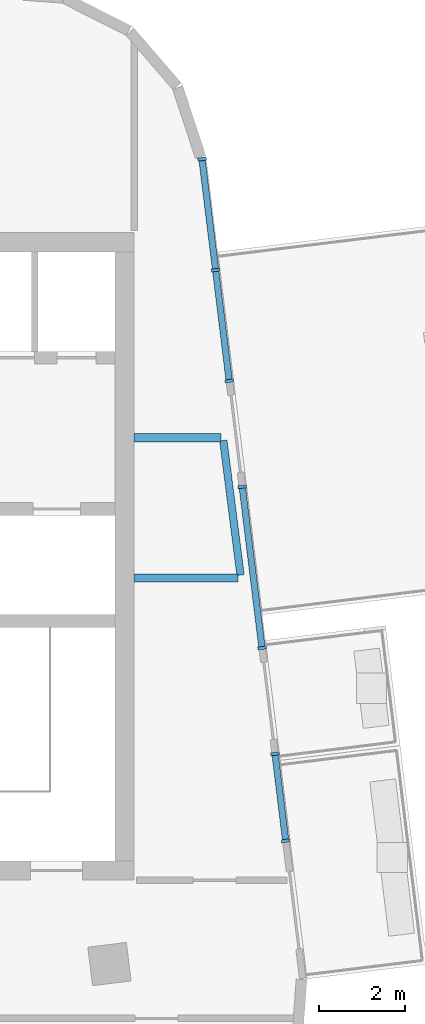
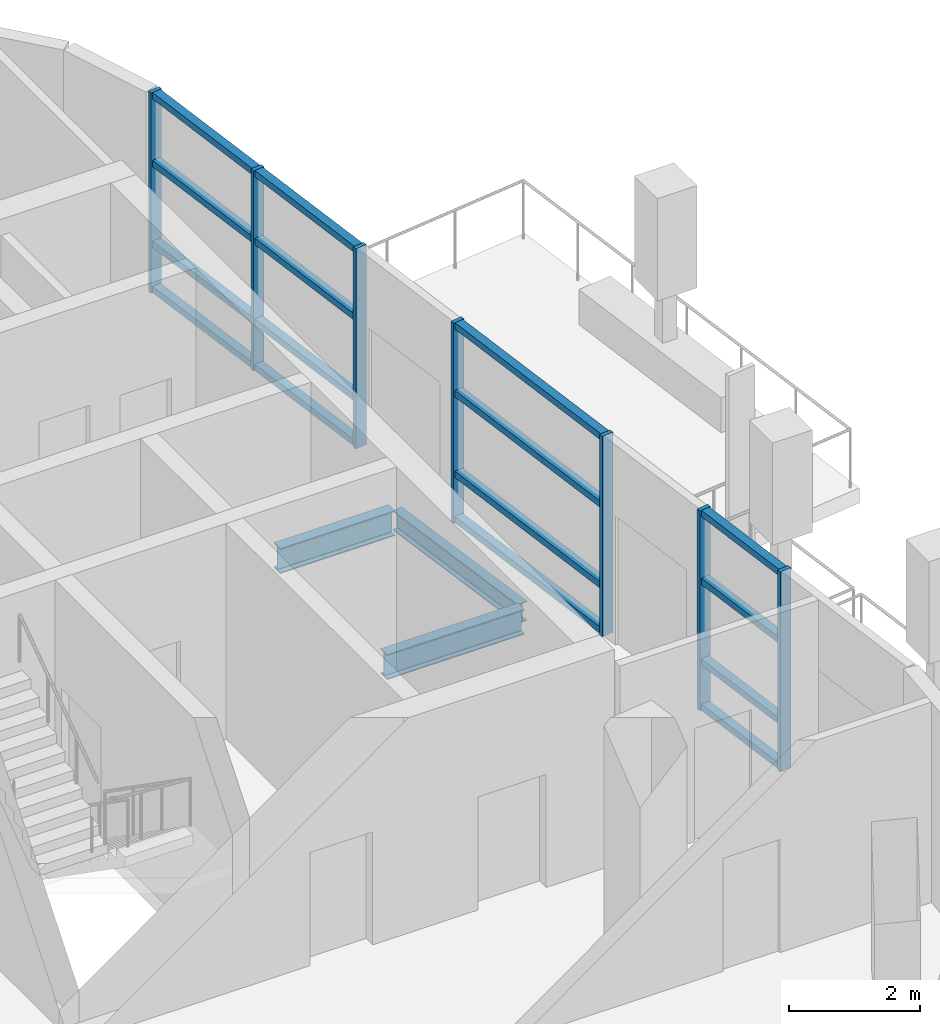
# One storey, part 4 of 13: 23 members, 3 beams, 3 elements without a shape of their own.
"""IFC4 building model written with IfcOpenShell, lengths in metres."""

from ifc_helpers import new_model, si_unit, direction, frame, origin, origin_2d, place, context, subcontext, project, spatial, rectangle, i_section, extrude, material, layer, layer_set, material_profile, profile_set, type_object, element, aggregate, save


model = new_model("IFC4")

# Units and contexts
model_context = context("Model", 3, precision=1e-05, world=origin(), true_north=direction((0.0, 1.0)))
body_context = subcontext(model_context, "Body", "Model", "MODEL_VIEW")
ifc_project = project(units=[si_unit("LENGTHUNIT", "METRE"), si_unit("AREAUNIT", "SQUARE_METRE"), si_unit("VOLUMEUNIT", "CUBIC_METRE"), si_unit("PLANEANGLEUNIT", "RADIAN"), si_unit("MASSUNIT", "GRAM", prefix="KILO")], contexts=[model_context])

# Site, building, storey
site_placement = place(None, origin())
site = spatial("IfcSite", under=ifc_project, at=site_placement, CompositionType="ELEMENT")
building_placement = place(site_placement, origin())
building = spatial("IfcBuilding", under=site, at=building_placement, Name="Torana Hotel and Residences", CompositionType="ELEMENT")
storey_placement = place(building_placement, frame((0.0, 0.0, 342.60009765625)))
storey = spatial("IfcBuildingStorey", under=building, at=storey_placement, Name="L90", CompositionType="ELEMENT", Elevation=342.60009765625)

# Beams
ifc_material_1 = material(Name="Steel S355", Category="steel")
ifc_material_profile_1 = material_profile(ifc_material_1, i_section(OverallWidth=0.19287109375, OverallDepth=0.46728515625, WebThickness=0.011474609375, FlangeThickness=0.01953125, FilletRadius=0.01025390625, at=origin_2d()), Name="457x191x98 UB")
ifc_profile_set_1 = profile_set([ifc_material_profile_1], Name="Steel S355")
beam_type_1 = type_object("IfcBeamType", Name="BALCONY CANTILEVER BEAM 457x191x98 UB", PredefinedType="BEAM", material=ifc_profile_set_1)
beam_1_placement = place(storey_placement, frame((19.489990234375, -8.0, -0.513671875), z_axis=(1.0, 0.0, 0.0), x_axis=(0.0, 1.0, 0.0)))
element("IfcBeam", 1, at=beam_1_placement, inside=storey, type_object=beam_type_1, Name="Balcony cantilever beam", PredefinedType="BEAM", context=body_context, shape_type="SweptSolid", body=[
    extrude(i_section(OverallWidth=0.19287109375, OverallDepth=0.46728515625, WebThickness=0.011474609375, FlangeThickness=0.01953125, FilletRadius=0.01025390625, at=origin_2d()), origin(), (0.0, 0.0, 1.0), 2.41552734375),
])
beam_2_placement = place(storey_placement, frame((19.489990234375, -4.75, -0.513671875), z_axis=(1.0, 0.0, 0.0), x_axis=(0.0, 1.0, 0.0)))
element("IfcBeam", 2, at=beam_2_placement, inside=storey, type_object=beam_type_1, Name="Balcony cantilever beam", PredefinedType="BEAM", context=body_context, shape_type="SweptSolid", body=[
    extrude(i_section(OverallWidth=0.19287109375, OverallDepth=0.46728515625, WebThickness=0.011474609375, FlangeThickness=0.01953125, FilletRadius=0.01025390625, at=origin_2d()), origin(), (0.0, 0.0, 1.0), 2.016357421875),
])
ifc_material_2 = material(Name="Steel S355", Category="steel")
ifc_material_profile_2 = material_profile(ifc_material_2, i_section(OverallWidth=0.173095703125, OverallDepth=0.36328125, WebThickness=0.009033203125, FlangeThickness=0.015625, FilletRadius=0.01025390625, at=origin_2d()), Name="356x171x67 UB")
ifc_profile_set_2 = profile_set([ifc_material_profile_2], Name="Steel S355")
beam_type_2 = type_object("IfcBeamType", Name="BALCONY TIP BEAM 356x171x67 UB", PredefinedType="BEAM", material=ifc_profile_set_2)
beam_3_placement = place(storey_placement, frame((21.9619140625, -7.93359375, -0.4619140625), z_axis=(-0.126940899221, 0.991910282286, 0.0), x_axis=(-0.991910282286, -0.126940899221, 0.0)))
element("IfcBeam", 3, at=beam_3_placement, inside=storey, type_object=beam_type_2, Name="Balcony tip beam", PredefinedType="BEAM", context=body_context, shape_type="SweptSolid", body=[
    extrude(i_section(OverallWidth=0.173095703125, OverallDepth=0.36328125, WebThickness=0.009033203125, FlangeThickness=0.015625, FilletRadius=0.01025390625, at=origin_2d()), origin(), (0.0, 0.0, 1.0), 3.142578125),
])

# Curtain wall, members
ifc_material_3 = material(Name="Dark anodised aluminium", Category="aluminium")
ifc_layer = layer(ifc_material_3, 0.199951171875)
ifc_layer_set = layer_set([ifc_layer], Name="CW3 SKY CLUB UNITISED CURTAIN WALL")
curtain_wall_type = type_object("IfcCurtainWallType", Name="CW3 SKY CLUB UNITISED CURTAIN WALL", PredefinedType="NOTDEFINED", material=ifc_layer_set)
curtain_wall_1_placement = place(storey_placement, origin())
curtain_wall_1 = element("IfcCurtainWall", 4, at=curtain_wall_1_placement, inside=storey, type_object=curtain_wall_type, Name="Curtain wall CW3 L90 e0.19-2", PredefinedType="NOTDEFINED")
ifc_material_4 = material(Name="Dark anodised aluminium", Category="aluminium")
ifc_material_profile_3 = material_profile(ifc_material_4, rectangle(XDim=0.199951171875, YDim=0.070068359375, at=origin_2d()), Name="CW3 MULLION 70x200")
ifc_profile_set_3 = profile_set([ifc_material_profile_3], Name="Dark anodised aluminium")
member_type_1 = type_object("IfcMemberType", Name="CW3 MULLION 70x200", PredefinedType="MULLION", material=ifc_profile_set_3)
member_1_placement = place(storey_placement, frame((23.0087890625, -14.087646484375, 0.0), z_axis=(0.0, 0.0, 1.0), x_axis=(-0.992540827019, -0.121912701141, 0.0)))
member_1 = element("IfcMember", 5, at=member_1_placement, type_object=member_type_1, Name="CW3 mullion 1", PredefinedType="MULLION", context=body_context, shape_type="SweptSolid", body=[
    extrude(rectangle(XDim=0.199951171875, YDim=0.070068359375, at=origin_2d()), origin(), (0.0, 0.0, 1.0), 3.719970703125),
])
member_2_placement = place(storey_placement, frame((22.76123046875, -12.072998046875, 0.0), z_axis=(0.0, 0.0, 1.0), x_axis=(-0.992540827019, -0.121912701141, 0.0)))
member_2 = element("IfcMember", 6, at=member_2_placement, type_object=member_type_1, Name="CW3 mullion 2", PredefinedType="MULLION", context=body_context, shape_type="SweptSolid", body=[
    extrude(rectangle(XDim=0.199951171875, YDim=0.070068359375, at=origin_2d()), origin(), (0.0, 0.0, 1.0), 3.719970703125),
])

curtain_wall_2_placement = place(storey_placement, origin())
curtain_wall_2 = element("IfcCurtainWall", 7, at=curtain_wall_2_placement, inside=storey, type_object=curtain_wall_type, Name="Curtain wall CW3 L90 e0.19-4", PredefinedType="NOTDEFINED")
member_3_placement = place(storey_placement, frame((22.46044921875, -9.621337890625, 0.0), z_axis=(0.0, 0.0, 1.0), x_axis=(-0.992544175414, -0.121885437403, 0.0)))
member_3 = element("IfcMember", 8, at=member_3_placement, type_object=member_type_1, Name="CW3 mullion 1", PredefinedType="MULLION", context=body_context, shape_type="SweptSolid", body=[
    extrude(rectangle(XDim=0.199951171875, YDim=0.070068359375, at=origin_2d()), origin(), (0.0, 0.0, 1.0), 3.719970703125),
])
member_4_placement = place(storey_placement, frame((22.001953125, -5.887939453125, 0.0), z_axis=(0.0, 0.0, 1.0), x_axis=(-0.992544175414, -0.121885437403, 0.0)))
member_4 = element("IfcMember", 9, at=member_4_placement, type_object=member_type_1, Name="CW3 mullion 2", PredefinedType="MULLION", context=body_context, shape_type="SweptSolid", body=[
    extrude(rectangle(XDim=0.199951171875, YDim=0.070068359375, at=origin_2d()), origin(), (0.0, 0.0, 1.0), 3.719970703125),
])

curtain_wall_3_placement = place(storey_placement, origin())
curtain_wall_3 = element("IfcCurtainWall", 10, at=curtain_wall_3_placement, inside=storey, type_object=curtain_wall_type, Name="Curtain wall CW3 L90 e0.19-6", PredefinedType="NOTDEFINED")
member_5_placement = place(storey_placement, frame((21.700927734375, -3.436279296875, 0.0), z_axis=(0.0, 0.0, 1.0), x_axis=(-0.992546004929, -0.121870538273, 0.0)))
member_5 = element("IfcMember", 11, at=member_5_placement, type_object=member_type_1, Name="CW3 mullion 1", PredefinedType="MULLION", context=body_context, shape_type="SweptSolid", body=[
    extrude(rectangle(XDim=0.199951171875, YDim=0.070068359375, at=origin_2d()), origin(), (0.0, 0.0, 1.0), 3.719970703125),
])
member_6_placement = place(storey_placement, frame((21.385498046875, -0.86865234375, 0.0), z_axis=(0.0, 0.0, 1.0), x_axis=(-0.992546004929, -0.121870538273, 0.0)))
member_6 = element("IfcMember", 12, at=member_6_placement, type_object=member_type_1, Name="CW3 mullion 2", PredefinedType="MULLION", context=body_context, shape_type="SweptSolid", body=[
    extrude(rectangle(XDim=0.199951171875, YDim=0.070068359375, at=origin_2d()), origin(), (0.0, 0.0, 1.0), 3.719970703125),
])
member_7_placement = place(storey_placement, frame((21.0703125, 1.69921875, 0.0), z_axis=(0.0, 0.0, 1.0), x_axis=(-0.992546004929, -0.121870538273, 0.0)))
member_7 = element("IfcMember", 13, at=member_7_placement, type_object=member_type_1, Name="CW3 mullion 3", PredefinedType="MULLION", context=body_context, shape_type="SweptSolid", body=[
    extrude(rectangle(XDim=0.199951171875, YDim=0.070068359375, at=origin_2d()), origin(), (0.0, 0.0, 1.0), 3.719970703125),
])

# Member
ifc_material_5 = material(Name="Dark anodised aluminium", Category="aluminium")
ifc_material_profile_4 = material_profile(ifc_material_5, rectangle(XDim=0.14990234375, YDim=0.1201171875, at=origin_2d()), Name="CW3 TRANSOM 150x120")
ifc_profile_set_4 = profile_set([ifc_material_profile_4], Name="Dark anodised aluminium")
member_type_2 = type_object("IfcMemberType", Name="CW3 TRANSOM 150x120", PredefinedType="USERDEFINED", material=ifc_profile_set_4)
member_8_placement = place(storey_placement, frame((23.00439453125, -14.052978515625, 0.059814453125), z_axis=(-0.121826713669, 0.992551384985, 0.0), x_axis=(-0.992551384985, -0.121826713669, 0.0)))
member_8 = element("IfcMember", 14, at=member_8_placement, type_object=member_type_2, Name="CW3 transom 1.1", ObjectType="TRANSOM", PredefinedType="USERDEFINED", context=body_context, shape_type="SweptSolid", body=[
    extrude(rectangle(XDim=0.14990234375, YDim=0.1201171875, at=origin_2d()), origin(), (0.0, 0.0, 1.0), 1.9599609375),
])

member_9_placement = place(storey_placement, frame((23.00439453125, -14.052978515625, 0.89990234375), z_axis=(-0.121826713669, 0.992551384985, 0.0), x_axis=(-0.992551384985, -0.121826713669, 0.0)))
member_9 = element("IfcMember", 15, at=member_9_placement, type_object=member_type_2, Name="CW3 transom 1.2", ObjectType="TRANSOM", PredefinedType="USERDEFINED", context=body_context, shape_type="SweptSolid", body=[
    extrude(rectangle(XDim=0.14990234375, YDim=0.1201171875, at=origin_2d()), origin(), (0.0, 0.0, 1.0), 1.9599609375),
])

member_10_placement = place(storey_placement, frame((23.00439453125, -14.052978515625, 2.39990234375), z_axis=(-0.121826713669, 0.992551384985, 0.0), x_axis=(-0.992551384985, -0.121826713669, 0.0)))
member_10 = element("IfcMember", 16, at=member_10_placement, type_object=member_type_2, Name="CW3 transom 1.3", ObjectType="TRANSOM", PredefinedType="USERDEFINED", context=body_context, shape_type="SweptSolid", body=[
    extrude(rectangle(XDim=0.14990234375, YDim=0.1201171875, at=origin_2d()), origin(), (0.0, 0.0, 1.0), 1.9599609375),
])

member_11_placement = place(storey_placement, frame((23.00439453125, -14.052978515625, 3.659912109375), z_axis=(-0.121826713669, 0.992551384985, 0.0), x_axis=(-0.992551384985, -0.121826713669, 0.0)))
member_11 = element("IfcMember", 17, at=member_11_placement, type_object=member_type_2, Name="CW3 transom 1.4", ObjectType="TRANSOM", PredefinedType="USERDEFINED", context=body_context, shape_type="SweptSolid", body=[
    extrude(rectangle(XDim=0.14990234375, YDim=0.1201171875, at=origin_2d()), origin(), (0.0, 0.0, 1.0), 1.9599609375),
])

aggregate(curtain_wall_1, [member_1, member_2, member_8, member_9, member_10, member_11])

member_12_placement = place(storey_placement, frame((22.4560546875, -9.586669921875, 0.059814453125), z_axis=(-0.121885586458, 0.99254415711, 0.0), x_axis=(-0.99254415711, -0.121885586458, 0.0)))
member_12 = element("IfcMember", 18, at=member_12_placement, type_object=member_type_2, Name="CW3 transom 1.1", ObjectType="TRANSOM", PredefinedType="USERDEFINED", context=body_context, shape_type="SweptSolid", body=[
    extrude(rectangle(XDim=0.14990234375, YDim=0.1201171875, at=origin_2d()), origin(), (0.0, 0.0, 1.0), 3.691650390625),
])

member_13_placement = place(storey_placement, frame((22.4560546875, -9.586669921875, 0.89990234375), z_axis=(-0.121885586458, 0.99254415711, 0.0), x_axis=(-0.99254415711, -0.121885586458, 0.0)))
member_13 = element("IfcMember", 19, at=member_13_placement, type_object=member_type_2, Name="CW3 transom 1.2", ObjectType="TRANSOM", PredefinedType="USERDEFINED", context=body_context, shape_type="SweptSolid", body=[
    extrude(rectangle(XDim=0.14990234375, YDim=0.1201171875, at=origin_2d()), origin(), (0.0, 0.0, 1.0), 3.691650390625),
])

member_14_placement = place(storey_placement, frame((22.4560546875, -9.586669921875, 2.39990234375), z_axis=(-0.121885586458, 0.99254415711, 0.0), x_axis=(-0.99254415711, -0.121885586458, 0.0)))
member_14 = element("IfcMember", 20, at=member_14_placement, type_object=member_type_2, Name="CW3 transom 1.3", ObjectType="TRANSOM", PredefinedType="USERDEFINED", context=body_context, shape_type="SweptSolid", body=[
    extrude(rectangle(XDim=0.14990234375, YDim=0.1201171875, at=origin_2d()), origin(), (0.0, 0.0, 1.0), 3.691650390625),
])

member_15_placement = place(storey_placement, frame((22.4560546875, -9.586669921875, 3.659912109375), z_axis=(-0.121885586458, 0.99254415711, 0.0), x_axis=(-0.99254415711, -0.121885586458, 0.0)))
member_15 = element("IfcMember", 21, at=member_15_placement, type_object=member_type_2, Name="CW3 transom 1.4", ObjectType="TRANSOM", PredefinedType="USERDEFINED", context=body_context, shape_type="SweptSolid", body=[
    extrude(rectangle(XDim=0.14990234375, YDim=0.1201171875, at=origin_2d()), origin(), (0.0, 0.0, 1.0), 3.691650390625),
])

aggregate(curtain_wall_2, [member_3, member_4, member_12, member_13, member_14, member_15])

member_16_placement = place(storey_placement, frame((21.696533203125, -3.401611328125, 0.059814453125), z_axis=(-0.12182592217, 0.992551482135, 0.0), x_axis=(-0.992551482135, -0.12182592217, 0.0)))
member_16 = element("IfcMember", 22, at=member_16_placement, type_object=member_type_2, Name="CW3 transom 1.1", ObjectType="TRANSOM", PredefinedType="USERDEFINED", context=body_context, shape_type="SweptSolid", body=[
    extrude(rectangle(XDim=0.14990234375, YDim=0.1201171875, at=origin_2d()), origin(), (0.0, 0.0, 1.0), 2.51708984375),
])

member_17_placement = place(storey_placement, frame((21.696533203125, -3.401611328125, 0.89990234375), z_axis=(-0.12182592217, 0.992551482135, 0.0), x_axis=(-0.992551482135, -0.12182592217, 0.0)))
member_17 = element("IfcMember", 23, at=member_17_placement, type_object=member_type_2, Name="CW3 transom 1.2", ObjectType="TRANSOM", PredefinedType="USERDEFINED", context=body_context, shape_type="SweptSolid", body=[
    extrude(rectangle(XDim=0.14990234375, YDim=0.1201171875, at=origin_2d()), origin(), (0.0, 0.0, 1.0), 2.51708984375),
])

member_18_placement = place(storey_placement, frame((21.696533203125, -3.401611328125, 2.39990234375), z_axis=(-0.12182592217, 0.992551482135, 0.0), x_axis=(-0.992551482135, -0.12182592217, 0.0)))
member_18 = element("IfcMember", 24, at=member_18_placement, type_object=member_type_2, Name="CW3 transom 1.3", ObjectType="TRANSOM", PredefinedType="USERDEFINED", context=body_context, shape_type="SweptSolid", body=[
    extrude(rectangle(XDim=0.14990234375, YDim=0.1201171875, at=origin_2d()), origin(), (0.0, 0.0, 1.0), 2.51708984375),
])

member_19_placement = place(storey_placement, frame((21.696533203125, -3.401611328125, 3.659912109375), z_axis=(-0.12182592217, 0.992551482135, 0.0), x_axis=(-0.992551482135, -0.12182592217, 0.0)))
member_19 = element("IfcMember", 25, at=member_19_placement, type_object=member_type_2, Name="CW3 transom 1.4", ObjectType="TRANSOM", PredefinedType="USERDEFINED", context=body_context, shape_type="SweptSolid", body=[
    extrude(rectangle(XDim=0.14990234375, YDim=0.1201171875, at=origin_2d()), origin(), (0.0, 0.0, 1.0), 2.51708984375),
])

member_20_placement = place(storey_placement, frame((21.38134765625, -0.833740234375, 0.059814453125), z_axis=(-0.12193321463, 0.992538307155, 0.0), x_axis=(-0.992538307155, -0.12193321463, 0.0)))
member_20 = element("IfcMember", 26, at=member_20_placement, type_object=member_type_2, Name="CW3 transom 2.1", ObjectType="TRANSOM", PredefinedType="USERDEFINED", context=body_context, shape_type="SweptSolid", body=[
    extrude(rectangle(XDim=0.14990234375, YDim=0.1201171875, at=origin_2d()), origin(), (0.0, 0.0, 1.0), 2.516845703125),
])

member_21_placement = place(storey_placement, frame((21.38134765625, -0.833740234375, 0.89990234375), z_axis=(-0.12193321463, 0.992538307155, 0.0), x_axis=(-0.992538307155, -0.12193321463, 0.0)))
member_21 = element("IfcMember", 27, at=member_21_placement, type_object=member_type_2, Name="CW3 transom 2.2", ObjectType="TRANSOM", PredefinedType="USERDEFINED", context=body_context, shape_type="SweptSolid", body=[
    extrude(rectangle(XDim=0.14990234375, YDim=0.1201171875, at=origin_2d()), origin(), (0.0, 0.0, 1.0), 2.516845703125),
])

member_22_placement = place(storey_placement, frame((21.38134765625, -0.833740234375, 2.39990234375), z_axis=(-0.12193321463, 0.992538307155, 0.0), x_axis=(-0.992538307155, -0.12193321463, 0.0)))
member_22 = element("IfcMember", 28, at=member_22_placement, type_object=member_type_2, Name="CW3 transom 2.3", ObjectType="TRANSOM", PredefinedType="USERDEFINED", context=body_context, shape_type="SweptSolid", body=[
    extrude(rectangle(XDim=0.14990234375, YDim=0.1201171875, at=origin_2d()), origin(), (0.0, 0.0, 1.0), 2.516845703125),
])

member_23_placement = place(storey_placement, frame((21.38134765625, -0.833740234375, 3.659912109375), z_axis=(-0.12193321463, 0.992538307155, 0.0), x_axis=(-0.992538307155, -0.12193321463, 0.0)))
member_23 = element("IfcMember", 29, at=member_23_placement, type_object=member_type_2, Name="CW3 transom 2.4", ObjectType="TRANSOM", PredefinedType="USERDEFINED", context=body_context, shape_type="SweptSolid", body=[
    extrude(rectangle(XDim=0.14990234375, YDim=0.1201171875, at=origin_2d()), origin(), (0.0, 0.0, 1.0), 2.516845703125),
])

aggregate(curtain_wall_3, [member_5, member_6, member_7, member_16, member_17, member_18, member_19, member_20, member_21, member_22, member_23])

save(model, "model.ifc")
